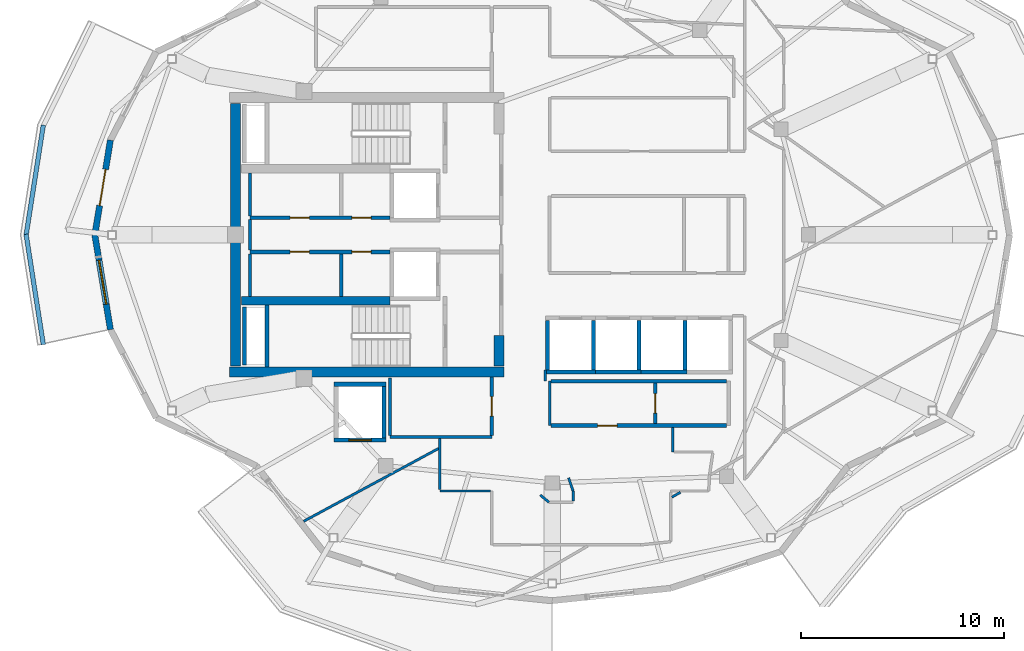
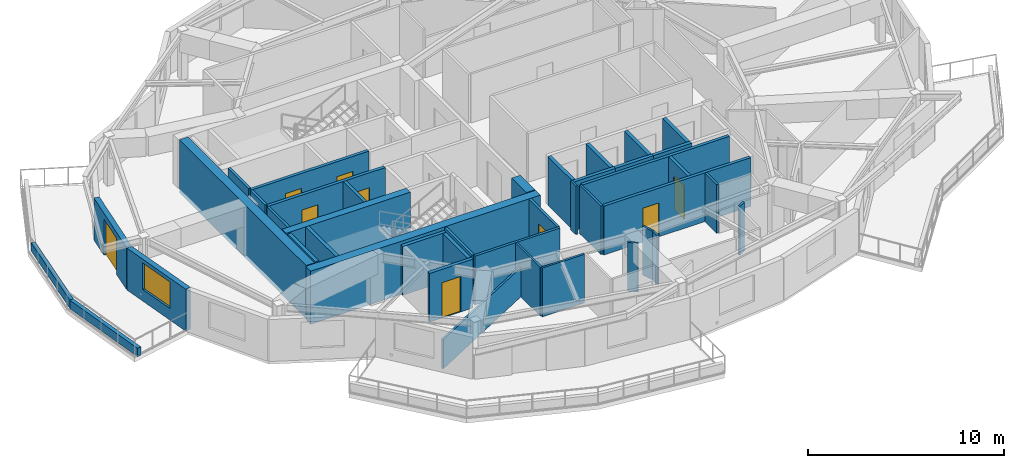
# One storey, part 4 of 11: 42 walls, 9 doors, 1 window, 10 openings.
"""IFC4 building model written with IfcOpenShell, lengths in metres."""

from ifc_helpers import new_model, si_unit, direction, frame, frame_2d, origin, place, context, subcontext, project, spatial, rectangle, extrude, material, layer, layer_set, type_object, element, fill, save


model = new_model("IFC4")

# Units and contexts
model_context = context("Model", 3, precision=1e-05, world=origin(), true_north=direction((0.0, 1.0)))
body_context = subcontext(model_context, "Body", "Model", "MODEL_VIEW")
ifc_project = project(units=[si_unit("LENGTHUNIT", "METRE"), si_unit("AREAUNIT", "SQUARE_METRE"), si_unit("VOLUMEUNIT", "CUBIC_METRE"), si_unit("PLANEANGLEUNIT", "RADIAN"), si_unit("MASSUNIT", "GRAM", prefix="KILO")], contexts=[model_context])

# Site, building, storey
site_placement = place(None, origin())
site = spatial("IfcSite", under=ifc_project, at=site_placement, CompositionType="ELEMENT")
building_placement = place(site_placement, origin())
building = spatial("IfcBuilding", under=site, at=building_placement, Name="Kolvaren Gate Tower and Convention Centre", CompositionType="ELEMENT")
storey_placement = place(building_placement, frame((0.0, 0.0, 255.800048828125)))
storey = spatial("IfcBuildingStorey", under=building, at=storey_placement, Name="L69", CompositionType="ELEMENT", Elevation=255.800048828125)

# Wall, openings, doors
ifc_material_1 = material(Name="Autoclaved Aerated Masonry Blockwork Class 4 (4.0 MPa)", Category="masonry")
ifc_layer_1 = layer(ifc_material_1, 0.179931640625)
ifc_layer_set_1 = layer_set([ifc_layer_1], Name="Autoclaved Aerated Masonry Blockwork Class 4 (4.0 MPa)")
wall_type_1 = type_object("IfcWallType", Name="ARCH-WL-COMP-180", PredefinedType="SOLIDWALL", material=ifc_layer_set_1)
wall_1_placement = place(storey_placement, frame((15.25, 27.840087890625, 0.0), z_axis=(0.0, 0.0, 1.0), x_axis=(1.0, 0.0, 0.0)))
wall_1 = element("IfcWall", 1, at=wall_1_placement, inside=storey, type_object=wall_type_1, Name="Interior Partition WL-L69-INT-004", PredefinedType="SOLIDWALL", context=body_context, shape_type="SweptSolid", body=[
    extrude(rectangle(XDim=6.89990234375, YDim=0.179931640625, at=frame_2d((3.449951171875, 0.0))), origin(), (0.0, 0.0, 1.0), 3.030029296875),
])
opening_1_placement = place(wall_1_placement, frame((5.02001953125, 0.0, 0.0)))
opening_1 = element("IfcOpeningElement", 2, at=opening_1_placement, cuts=wall_1, Name="Opening DR-01", PredefinedType="OPENING", context=body_context, shape_type="SweptSolid", body=[
    extrude(rectangle(XDim=0.949951171875, YDim=2.10009765625, at=frame_2d((0.47509765625, 1.050048828125))), frame((0.0, 0.099853515625, 0.0), z_axis=(0.0, -1.0, 0.0), x_axis=(1.0, 0.0, 0.0)), (0.0, 0.0, 1.0), 0.199951171875),
])
opening_2_placement = place(wall_1_placement, frame((1.97998046875, 0.0, 0.0)))
opening_2 = element("IfcOpeningElement", 3, at=opening_2_placement, cuts=wall_1, Name="Opening DR-01", PredefinedType="OPENING", context=body_context, shape_type="SweptSolid", body=[
    extrude(rectangle(XDim=0.949951171875, YDim=2.10009765625, at=frame_2d((0.47509765625, 1.050048828125))), frame((0.0, 0.099853515625, 0.0), z_axis=(0.0, -1.0, 0.0), x_axis=(1.0, 0.0, 0.0)), (0.0, 0.0, 1.0), 0.199951171875),
])
ifc_material_2 = material(Name="Painted Architectural Steelwork ASTM A500 Grade C 345 MPa", Category="steel")
door_type_1 = type_object("IfcDoorType", Name="ARCH-DR-RISER-950", OperationType="SINGLE_SWING_RIGHT", PredefinedType="DOOR", material=ifc_material_2)
door_1_placement = place(opening_1_placement, origin())
door_1 = element("IfcDoor", 4, at=door_1_placement, inside=storey, type_object=door_type_1, Name="Electrical Switchgear Closet Door", OperationType="SINGLE_SWING_RIGHT", OverallHeight=2.10009765625, OverallWidth=0.949951171875, PredefinedType="DOOR", context=body_context, shape_type="SweptSolid", body=[
    extrude(rectangle(XDim=0.949951171875, YDim=2.10009765625, at=frame_2d((0.47509765625, 1.050048828125))), frame((0.0, 0.02490234375, 0.0), z_axis=(0.0, -1.0, 0.0), x_axis=(1.0, 0.0, 0.0)), (0.0, 0.0, 1.0), 0.050048828125),
])
fill(opening_1, door_1)
door_2_placement = place(opening_2_placement, origin())
door_2 = element("IfcDoor", 5, at=door_2_placement, inside=storey, type_object=door_type_1, Name="Staff Powder Washroom Door", OperationType="SINGLE_SWING_RIGHT", OverallHeight=2.10009765625, OverallWidth=0.949951171875, PredefinedType="DOOR", context=body_context, shape_type="SweptSolid", body=[
    extrude(rectangle(XDim=0.949951171875, YDim=2.10009765625, at=frame_2d((0.47509765625, 1.050048828125))), frame((0.0, 0.02490234375, 0.0), z_axis=(0.0, -1.0, 0.0), x_axis=(1.0, 0.0, 0.0)), (0.0, 0.0, 1.0), 0.050048828125),
])
fill(opening_2, door_2)

wall_2_placement = place(storey_placement, frame((15.25, 26.159912109375, 0.0), z_axis=(0.0, 0.0, 1.0), x_axis=(1.0, 0.0, 0.0)))
wall_2 = element("IfcWall", 6, at=wall_2_placement, inside=storey, type_object=wall_type_1, Name="Interior Partition WL-L69-INT-005", PredefinedType="SOLIDWALL", context=body_context, shape_type="SweptSolid", body=[
    extrude(rectangle(XDim=6.89990234375, YDim=0.179931640625, at=frame_2d((3.449951171875, 0.0))), origin(), (0.0, 0.0, 1.0), 3.030029296875),
])
opening_3_placement = place(wall_2_placement, frame((5.02001953125, 0.0, 0.0)))
opening_3 = element("IfcOpeningElement", 7, at=opening_3_placement, cuts=wall_2, Name="Opening DR-01", PredefinedType="OPENING", context=body_context, shape_type="SweptSolid", body=[
    extrude(rectangle(XDim=0.949951171875, YDim=2.10009765625, at=frame_2d((0.47509765625, 1.050048828125))), frame((0.0, 0.099853515625, 0.0), z_axis=(0.0, -1.0, 0.0), x_axis=(1.0, 0.0, 0.0)), (0.0, 0.0, 1.0), 0.199951171875),
])
opening_4_placement = place(wall_2_placement, frame((1.97998046875, 0.0, 0.0)))
opening_4 = element("IfcOpeningElement", 8, at=opening_4_placement, cuts=wall_2, Name="Opening DR-01", PredefinedType="OPENING", context=body_context, shape_type="SweptSolid", body=[
    extrude(rectangle(XDim=0.949951171875, YDim=2.10009765625, at=frame_2d((0.47509765625, 1.050048828125))), frame((0.0, 0.099853515625, 0.0), z_axis=(0.0, -1.0, 0.0), x_axis=(1.0, 0.0, 0.0)), (0.0, 0.0, 1.0), 0.199951171875),
])
door_3_placement = place(opening_3_placement, origin())
door_3 = element("IfcDoor", 9, at=door_3_placement, inside=storey, type_object=door_type_1, Name="Domestic Water Meter Closet Door", OperationType="SINGLE_SWING_LEFT", OverallHeight=2.10009765625, OverallWidth=0.949951171875, PredefinedType="DOOR", context=body_context, shape_type="SweptSolid", body=[
    extrude(rectangle(XDim=0.949951171875, YDim=2.10009765625, at=frame_2d((0.47509765625, 1.050048828125))), frame((0.0, 0.02490234375, 0.0), z_axis=(0.0, -1.0, 0.0), x_axis=(1.0, 0.0, 0.0)), (0.0, 0.0, 1.0), 0.050048828125),
])
fill(opening_3, door_3)
door_4_placement = place(opening_4_placement, origin())
door_4 = element("IfcDoor", 10, at=door_4_placement, inside=storey, type_object=door_type_1, Name="Janitor Equipment Store Door", OperationType="SINGLE_SWING_LEFT", OverallHeight=2.10009765625, OverallWidth=0.949951171875, PredefinedType="DOOR", context=body_context, shape_type="SweptSolid", body=[
    extrude(rectangle(XDim=0.949951171875, YDim=2.10009765625, at=frame_2d((0.47509765625, 1.050048828125))), frame((0.0, 0.02490234375, 0.0), z_axis=(0.0, -1.0, 0.0), x_axis=(1.0, 0.0, 0.0)), (0.0, 0.0, 1.0), 0.050048828125),
])
fill(opening_4, door_4)

# Wall
wall_3_placement = place(storey_placement, frame((19.75, 23.9619140625, 0.0), z_axis=(0.0, 0.0, 1.0), x_axis=(0.0, 1.0, 0.0)))
element("IfcWall", 11, at=wall_3_placement, inside=storey, type_object=wall_type_1, Name="Interior Partition WL-L69-INT-007", PredefinedType="SOLIDWALL", context=body_context, shape_type="SweptSolid", body=[
    extrude(rectangle(XDim=2.106201171875, YDim=0.179931640625, at=frame_2d((1.05322265625, 0.0))), origin(), (0.0, 0.0, 1.0), 3.030029296875),
])

# Wall, opening, door
wall_4_placement = place(storey_placement, frame((30.06201171875, 17.6201171875, 0.0), z_axis=(0.0, 0.0, 1.0), x_axis=(1.0, 0.0, 0.0)))
wall_4 = element("IfcWall", 12, at=wall_4_placement, inside=storey, type_object=wall_type_1, Name="Interior Partition WL-L69-INT-026", PredefinedType="SOLIDWALL", context=body_context, shape_type="SweptSolid", body=[
    extrude(rectangle(XDim=8.64599609375, YDim=0.179931640625, at=frame_2d((4.322998046875, 0.0))), origin(), (0.0, 0.0, 1.0), 3.030029296875),
])
opening_5_placement = place(wall_4_placement, frame((2.299072265625, 0.0, 0.0)))
opening_5 = element("IfcOpeningElement", 13, at=opening_5_placement, cuts=wall_4, Name="Opening DR-01", PredefinedType="OPENING", context=body_context, shape_type="SweptSolid", body=[
    extrude(rectangle(XDim=0.949951171875, YDim=2.10009765625, at=frame_2d((0.47509765625, 1.050048828125))), frame((0.0, 0.099853515625, 0.0), z_axis=(0.0, -1.0, 0.0), x_axis=(1.0, 0.0, 0.0)), (0.0, 0.0, 1.0), 0.199951171875),
])
door_5_placement = place(opening_5_placement, origin())
door_5 = element("IfcDoor", 14, at=door_5_placement, inside=storey, type_object=door_type_1, Name="Resident Quiet Library Door", OperationType="SINGLE_SWING_RIGHT", OverallHeight=2.10009765625, OverallWidth=0.949951171875, PredefinedType="DOOR", context=body_context, shape_type="SweptSolid", body=[
    extrude(rectangle(XDim=0.949951171875, YDim=2.10009765625, at=frame_2d((0.47509765625, 1.050048828125))), frame((0.0, 0.02490234375, 0.0), z_axis=(0.0, -1.0, 0.0), x_axis=(1.0, 0.0, 0.0)), (0.0, 0.0, 1.0), 0.050048828125),
])
fill(opening_5, door_5)

# Wall
wall_5_placement = place(storey_placement, frame((30.06201171875, 19.800048828125, 0.0), z_axis=(0.0, 0.0, 1.0), x_axis=(1.0, 0.0, 0.0)))
element("IfcWall", 15, at=wall_5_placement, inside=storey, type_object=wall_type_1, Name="Interior Partition WL-L69-INT-027", PredefinedType="SOLIDWALL", context=body_context, shape_type="SweptSolid", body=[
    extrude(rectangle(XDim=8.64599609375, YDim=0.179931640625, at=frame_2d((4.322998046875, 0.0))), origin(), (0.0, 0.0, 1.0), 3.030029296875),
])

# Wall, opening, door
wall_6_placement = place(storey_placement, frame((35.199951171875, 17.7119140625, 0.0), z_axis=(0.0, 0.0, 1.0), x_axis=(0.0, 1.0, 0.0)))
wall_6 = element("IfcWall", 16, at=wall_6_placement, inside=storey, type_object=wall_type_1, Name="Interior Partition WL-L69-INT-028", PredefinedType="SOLIDWALL", context=body_context, shape_type="SweptSolid", body=[
    extrude(rectangle(XDim=1.99609375, YDim=0.179931640625, at=frame_2d((0.998046875, 0.0))), origin(), (0.0, 0.0, 1.0), 3.030029296875),
])
opening_6_placement = place(wall_6_placement, frame((0.52294921875, 0.0, 0.0)))
opening_6 = element("IfcOpeningElement", 17, at=opening_6_placement, cuts=wall_6, Name="Opening DR-01", PredefinedType="OPENING", context=body_context, shape_type="SweptSolid", body=[
    extrude(rectangle(XDim=0.949951171875, YDim=2.10009765625, at=frame_2d((0.47509765625, 1.050048828125))), frame((0.0, 0.099853515625, 0.0), z_axis=(0.0, -1.0, 0.0), x_axis=(1.0, 0.0, 0.0)), (0.0, 0.0, 1.0), 0.199951171875),
])
door_6_placement = place(opening_6_placement, origin())
door_6 = element("IfcDoor", 18, at=door_6_placement, inside=storey, type_object=door_type_1, Name="Smart-Metering Room Door", OperationType="SINGLE_SWING_RIGHT", OverallHeight=2.10009765625, OverallWidth=0.949951171875, PredefinedType="DOOR", context=body_context, shape_type="SweptSolid", body=[
    extrude(rectangle(XDim=0.949951171875, YDim=2.10009765625, at=frame_2d((0.47509765625, 1.050048828125))), frame((0.0, 0.02490234375, 0.0), z_axis=(0.0, -1.0, 0.0), x_axis=(1.0, 0.0, 0.0)), (0.0, 0.0, 1.0), 0.050048828125),
])
fill(opening_6, door_6)

# Walls
ifc_material_3 = material(Name="Fire-Rated Acoustic Gypsum Stud Partition", Category="gypsum")
ifc_layer_2 = layer(ifc_material_3, 0.1201171875)
ifc_layer_set_2 = layer_set([ifc_layer_2], Name="Fire-Rated Acoustic Gypsum Stud Partition")
wall_type_2 = type_object("IfcWallType", Name="ARCH-WL-PART-120", PredefinedType="PARTITIONING", material=ifc_layer_set_2)
wall_7_placement = place(storey_placement, frame((30.0, 17.6201171875, 0.0), z_axis=(0.0, 0.0, 1.0), x_axis=(0.0, 1.0, 0.0)))
element("IfcWall", 19, at=wall_7_placement, inside=storey, type_object=wall_type_2, Name="Interior Partition WL-L69-INT-015", PredefinedType="PARTITIONING", context=body_context, shape_type="SweptSolid", body=[
    extrude(rectangle(XDim=2.179931640625, YDim=0.1201171875, at=frame_2d((1.08984375, 0.0))), origin(), (0.0, 0.0, 1.0), 3.030029296875),
])
wall_8_placement = place(storey_placement, frame((29.780029296875, 19.800048828125, 0.0), z_axis=(0.0, 0.0, 1.0), x_axis=(0.0, 1.0, 0.0)))
element("IfcWall", 20, at=wall_8_placement, inside=storey, type_object=wall_type_2, Name="Interior Partition WL-L69-INT-051", PredefinedType="PARTITIONING", context=body_context, shape_type="SweptSolid", body=[
    extrude(rectangle(XDim=0.56005859375, YDim=0.1201171875, at=frame_2d((0.280029296875, 0.0))), origin(), (0.0, 0.0, 1.0), 3.030029296875),
])
wall_9_placement = place(storey_placement, frame((36.050048828125, 16.320068359375, 0.0), z_axis=(0.0, 0.0, 1.0), x_axis=(0.0, 1.0, 0.0)))
element("IfcWall", 21, at=wall_9_placement, inside=storey, type_object=wall_type_2, Name="Interior Partition WL-L69-INT-052", PredefinedType="PARTITIONING", context=body_context, shape_type="SweptSolid", body=[
    extrude(rectangle(XDim=1.2080078125, YDim=0.1201171875, at=frame_2d((0.60400390625, 0.0))), origin(), (0.0, 0.0, 1.0), 3.030029296875),
])
wall_10_placement = place(storey_placement, frame((24.60009765625, 14.39990234375, 0.0), z_axis=(0.0, 0.0, 1.0), x_axis=(1.0, 0.0, 0.0)))
element("IfcWall", 22, at=wall_10_placement, inside=storey, type_object=wall_type_2, Name="Interior Partition WL-L69-INT-056", PredefinedType="PARTITIONING", context=body_context, shape_type="SweptSolid", body=[
    extrude(rectangle(XDim=2.48779296875, YDim=0.1201171875, at=frame_2d((1.243896484375, 0.0))), origin(), (0.0, 0.0, 1.0), 3.030029296875),
])
wall_11_placement = place(storey_placement, frame((24.60009765625, 14.4619140625, 0.0), z_axis=(0.0, 0.0, 1.0), x_axis=(0.0, 1.0, 0.0)))
element("IfcWall", 23, at=wall_11_placement, inside=storey, type_object=wall_type_2, Name="Interior Partition WL-L69-INT-061", PredefinedType="PARTITIONING", context=body_context, shape_type="SweptSolid", body=[
    extrude(rectangle(XDim=2.510986328125, YDim=0.1201171875, at=frame_2d((1.25537109375, 0.0))), origin(), (0.0, 0.0, 1.0), 3.030029296875),
])
wall_12_placement = place(storey_placement, frame((31.14990234375, 13.912109375, 0.0), z_axis=(0.0, 0.0, 1.0), x_axis=(0.0, 1.0, 0.0)))
element("IfcWall", 24, at=wall_12_placement, inside=storey, type_object=wall_type_2, Name="Interior Partition WL-L69-INT-063", PredefinedType="PARTITIONING", context=body_context, shape_type="SweptSolid", body=[
    extrude(rectangle(XDim=0.48779296875, YDim=0.1201171875, at=frame_2d((0.243896484375, 0.0))), origin(), (0.0, 0.0, 1.0), 3.030029296875),
])
wall_13_placement = place(storey_placement, frame((30.928955078125, 15.0439453125, 0.0), z_axis=(0.0, 0.0, 1.0), x_axis=(0.324498492416, -0.945886213252, 0.0)))
element("IfcWall", 25, at=wall_13_placement, inside=storey, type_object=wall_type_2, Name="Interior Partition WL-L69-INT-064", PredefinedType="PARTITIONING", context=body_context, shape_type="SweptSolid", body=[
    extrude(rectangle(XDim=0.680908203125, YDim=0.1201171875, at=frame_2d((0.34033203125, 0.0))), origin(), (0.0, 0.0, 1.0), 3.030029296875),
])
wall_14_placement = place(storey_placement, frame((29.531005859375, 14.2060546875, 0.0), z_axis=(0.0, 0.0, 1.0), x_axis=(0.7695479554, -0.638589026166, 0.0)))
element("IfcWall", 26, at=wall_14_placement, inside=storey, type_object=wall_type_2, Name="Interior Partition WL-L69-INT-065", PredefinedType="PARTITIONING", context=body_context, shape_type="SweptSolid", body=[
    extrude(rectangle(XDim=0.557373046875, YDim=0.1201171875, at=frame_2d((0.27880859375, 0.0))), origin(), (0.0, 0.0, 1.0), 3.030029296875),
])
wall_15_placement = place(storey_placement, frame((17.895263671875, 12.90966796875, 0.0), z_axis=(0.0, 0.0, 1.0), x_axis=(0.880038694226, 0.474901986377, 0.0)))
element("IfcWall", 27, at=wall_15_placement, inside=storey, type_object=wall_type_2, Name="Interior Partition WL-L69-INT-066", PredefinedType="PARTITIONING", context=body_context, shape_type="SweptSolid", body=[
    extrude(rectangle(XDim=7.54833984375, YDim=0.1201171875, at=frame_2d((3.774169921875, 0.0))), origin(), (0.0, 0.0, 1.0), 1.822509765625),
])
wall_16_placement = place(storey_placement, frame((36.011962890625, 14.09619140625, 0.0), z_axis=(0.0, 0.0, 1.0), x_axis=(0.865553251364, 0.500816901724, 0.0)))
element("IfcWall", 28, at=wall_16_placement, inside=storey, type_object=wall_type_2, Name="Interior Partition WL-L69-INT-069", PredefinedType="PARTITIONING", context=body_context, shape_type="SweptSolid", body=[
    extrude(rectangle(XDim=0.482666015625, YDim=0.1201171875, at=frame_2d((0.2412109375, 0.0))), origin(), (0.0, 0.0, 1.0), 3.030029296875),
])
ifc_material_4 = material(Name="Piedmont Cream Honed Limestone Cladding", Category="masonry")
ifc_layer_3 = layer(ifc_material_4, 0.219970703125)
ifc_layer_set_3 = layer_set([ifc_layer_3], Name="Piedmont Cream Honed Limestone Cladding")
wall_type_3 = type_object("IfcWallType", Name="ARCH-WL-PLANTER-220", PredefinedType="PARAPET", material=ifc_layer_set_3)
for number, where, z_axis, x_axis, name in (
    (29, (4.243408203125, 26.970703125, 0.0), (0.0, 0.0, 1.0), (0.154441975483, 0.988001860428, 0.0), "Vertical-Forest Balcony Stone Planter Kerb PK-L69-2.2"),
    (30, (4.243408203125, 27.029296875, 0.0), (0.0, 0.0, 1.0), (0.154441975483, -0.988001860428, 0.0), "Vertical-Forest Balcony Stone Planter Kerb PK-L69-2.3"),
):
    element("IfcWall", number, at=place(storey_placement, frame(where, z_axis=z_axis, x_axis=x_axis)), inside=storey, type_object=wall_type_3, Name=name, PredefinedType="PARAPET", context=body_context, shape_type="SweptSolid", body=[
        extrude(rectangle(XDim=5.49169921875, YDim=0.219970703125, at=frame_2d((2.745849609375, 0.0))), origin(), (0.0, 0.0, 1.0), 0.52001953125),
    ])
ifc_layer_4 = layer(ifc_material_1, 0.199951171875)
ifc_layer_set_4 = layer_set([ifc_layer_4], Name="Autoclaved Aerated Masonry Blockwork Class 4 (4.0 MPa)")
wall_type_4 = type_object("IfcWallType", Name="ARCH-WL-SHAFT-200", PredefinedType="SOLIDWALL", material=ifc_layer_set_4)
wall_17_placement = place(storey_placement, frame((19.39990234375, 19.64990234375, 0.0), z_axis=(0.0, 0.0, 1.0), x_axis=(1.0, 0.0, 0.0)))
element("IfcWall", 31, at=wall_17_placement, inside=storey, type_object=wall_type_4, Name="Elevator SV-01 L69 Fire Shaft Wall N", PredefinedType="SOLIDWALL", context=body_context, shape_type="SweptSolid", body=[
    extrude(rectangle(XDim=2.550048828125, YDim=0.199951171875, at=frame_2d((1.27490234375, 0.0))), origin(), (0.0, 0.0, 1.0), 3.030029296875),
])

# Wall, opening, door
wall_18_placement = place(storey_placement, frame((19.39990234375, 16.89990234375, 0.0), z_axis=(0.0, 0.0, 1.0), x_axis=(1.0, 0.0, 0.0)))
wall_18 = element("IfcWall", 32, at=wall_18_placement, inside=storey, type_object=wall_type_4, Name="Elevator SV-01 L69 Fire Shaft Wall S", PredefinedType="SOLIDWALL", context=body_context, shape_type="SweptSolid", body=[
    extrude(rectangle(XDim=2.550048828125, YDim=0.199951171875, at=frame_2d((1.27490234375, 0.0))), origin(), (0.0, 0.0, 1.0), 3.030029296875),
])
opening_7_placement = place(wall_18_placement, frame((0.72509765625, 0.0, 0.0)))
opening_7 = element("IfcOpeningElement", 33, at=opening_7_placement, cuts=wall_18, Name="Opening LD", PredefinedType="OPENING", context=body_context, shape_type="SweptSolid", body=[
    extrude(rectangle(XDim=1.10009765625, YDim=2.199951171875, at=frame_2d((0.550048828125, 1.10009765625))), frame((0.0, 0.10986328125, 0.0), z_axis=(0.0, -1.0, 0.0), x_axis=(1.0, 0.0, 0.0)), (0.0, 0.0, 1.0), 0.219970703125),
])
ifc_material_5 = material(Name="Brushed Stainless Steel Grade 316L", Category="steel")
door_type_2 = type_object("IfcDoorType", Name="ARCH-DR-LIFT-1100", OperationType="SLIDING_TO_LEFT", PredefinedType="DOOR", material=ifc_material_5)
door_7_placement = place(opening_7_placement, origin())
door_7 = element("IfcDoor", 34, at=door_7_placement, inside=storey, type_object=door_type_2, Name="Elevator SV-01 L69 Sliding Landing Door", OperationType="SLIDING_TO_LEFT", OverallHeight=2.199951171875, OverallWidth=1.10009765625, PredefinedType="DOOR", context=body_context, shape_type="SweptSolid", body=[
    extrude(rectangle(XDim=1.10009765625, YDim=2.199951171875, at=frame_2d((0.550048828125, 1.10009765625))), frame((0.0, 0.02490234375, 0.0), z_axis=(0.0, -1.0, 0.0), x_axis=(1.0, 0.0, 0.0)), (0.0, 0.0, 1.0), 0.050048828125),
])
fill(opening_7, door_7)

# Walls
wall_19_placement = place(storey_placement, frame((21.85009765625, 17.010009765625, 0.0), z_axis=(0.0, 0.0, 1.0), x_axis=(0.0, 1.0, 0.0)))
element("IfcWall", 35, at=wall_19_placement, inside=storey, type_object=wall_type_4, Name="Elevator SV-01 L69 Fire Shaft Wall E", PredefinedType="SOLIDWALL", context=body_context, shape_type="SweptSolid", body=[
    extrude(rectangle(XDim=2.530029296875, YDim=0.199951171875, at=frame_2d((1.26513671875, 0.0))), origin(), (0.0, 0.0, 1.0), 3.030029296875),
])
wall_20_placement = place(storey_placement, frame((29.800048828125, 20.25, 0.0), z_axis=(0.0, 0.0, 1.0), x_axis=(1.0, 0.0, 0.0)))
element("IfcWall", 36, at=wall_20_placement, inside=storey, type_object=wall_type_4, Name="Elevator PL-09 L69 Fire Shaft Wall S", PredefinedType="SOLIDWALL", context=body_context, shape_type="SweptSolid", body=[
    extrude(rectangle(XDim=2.449951171875, YDim=0.199951171875, at=frame_2d((1.22509765625, 0.0))), origin(), (0.0, 0.0, 1.0), 3.030029296875),
])
for number, where, z_axis, x_axis, name in (
    (37, (29.89990234375, 20.360107421875, 0.0), (0.0, 0.0, 1.0), (0.0, 1.0, 0.0), "Elevator PL-09 L69 Fire Shaft Wall W"),
    (38, (32.14990234375, 20.360107421875, 0.0), (0.0, 0.0, 1.0), (0.0, 1.0, 0.0), "Elevator PL-09 L69 Fire Shaft Wall E"),
):
    element("IfcWall", number, at=place(storey_placement, frame(where, z_axis=z_axis, x_axis=x_axis)), inside=storey, type_object=wall_type_4, Name=name, PredefinedType="SOLIDWALL", context=body_context, shape_type="SweptSolid", body=[
        extrude(rectangle(XDim=2.429931640625, YDim=0.199951171875, at=frame_2d((1.21484375, 0.0))), origin(), (0.0, 0.0, 1.0), 3.030029296875),
    ])
wall_21_placement = place(storey_placement, frame((32.25, 20.25, 0.0), z_axis=(0.0, 0.0, 1.0), x_axis=(1.0, 0.0, 0.0)))
element("IfcWall", 39, at=wall_21_placement, inside=storey, type_object=wall_type_4, Name="Elevator PL-10 L69 Fire Shaft Wall S", PredefinedType="SOLIDWALL", context=body_context, shape_type="SweptSolid", body=[
    extrude(rectangle(XDim=2.25, YDim=0.199951171875, at=frame_2d((1.125, 0.0))), origin(), (0.0, 0.0, 1.0), 3.030029296875),
])
wall_22_placement = place(storey_placement, frame((34.39990234375, 20.360107421875, 0.0), z_axis=(0.0, 0.0, 1.0), x_axis=(0.0, 1.0, 0.0)))
element("IfcWall", 40, at=wall_22_placement, inside=storey, type_object=wall_type_4, Name="Elevator PL-10 L69 Fire Shaft Wall E", PredefinedType="SOLIDWALL", context=body_context, shape_type="SweptSolid", body=[
    extrude(rectangle(XDim=2.429931640625, YDim=0.199951171875, at=frame_2d((1.21484375, 0.0))), origin(), (0.0, 0.0, 1.0), 3.030029296875),
])
wall_23_placement = place(storey_placement, frame((34.5, 20.25, 0.0), z_axis=(0.0, 0.0, 1.0), x_axis=(1.0, 0.0, 0.0)))
element("IfcWall", 41, at=wall_23_placement, inside=storey, type_object=wall_type_4, Name="Elevator PL-11 L69 Fire Shaft Wall S", PredefinedType="SOLIDWALL", context=body_context, shape_type="SweptSolid", body=[
    extrude(rectangle(XDim=2.25, YDim=0.199951171875, at=frame_2d((1.125, 0.0))), origin(), (0.0, 0.0, 1.0), 3.030029296875),
])
wall_24_placement = place(storey_placement, frame((36.64990234375, 20.360107421875, 0.0), z_axis=(0.0, 0.0, 1.0), x_axis=(0.0, 1.0, 0.0)))
element("IfcWall", 42, at=wall_24_placement, inside=storey, type_object=wall_type_4, Name="Elevator PL-11 L69 Fire Shaft Wall E", PredefinedType="SOLIDWALL", context=body_context, shape_type="SweptSolid", body=[
    extrude(rectangle(XDim=2.429931640625, YDim=0.199951171875, at=frame_2d((1.21484375, 0.0))), origin(), (0.0, 0.0, 1.0), 3.030029296875),
])
wall_25_placement = place(storey_placement, frame((14.989990234375, 20.60009765625, 0.0), z_axis=(0.0, 0.0, 1.0), x_axis=(0.0, 1.0, 0.0)))
element("IfcWall", 43, at=wall_25_placement, inside=storey, type_object=wall_type_4, Name="Vertical Shaft MPR L69 EI-120 Enclosure Wall W", PredefinedType="SOLIDWALL", context=body_context, shape_type="SweptSolid", body=[
    extrude(rectangle(XDim=2.849853515625, YDim=0.199951171875, at=frame_2d((1.4248046875, 0.0))), origin(), (0.0, 0.0, 1.0), 3.030029296875),
])

# Wall, opening, door
ifc_layer_5 = layer(ifc_material_4, 0.300048828125)
ifc_layer_set_5 = layer_set([ifc_layer_5], Name="Piedmont Cream Honed Limestone Cladding")
wall_type_5 = type_object("IfcWallType", Name="ARCH-WL-STONE-300", PredefinedType="SOLIDWALL", material=ifc_layer_set_5)
wall_26_placement = place(storey_placement, frame((7.625, 27.0, 0.0), z_axis=(0.0, 0.0, 1.0), x_axis=(0.162369371657, 0.986730047758, 0.0)))
wall_26 = element("IfcWall", 44, at=wall_26_placement, inside=storey, type_object=wall_type_5, Name="Tower L69 Honed Stone Spandrel Wall EW-11", PredefinedType="SOLIDWALL", context=body_context, shape_type="SweptSolid", body=[
    extrude(rectangle(XDim=4.721435546875, YDim=0.300048828125, at=frame_2d((2.36083984375, 0.0))), origin(), (0.0, 0.0, 1.0), 2.60498046875),
])
opening_8_placement = place(wall_26_placement, frame((1.4609375, 0.0, 0.0)))
opening_8 = element("IfcOpeningElement", 45, at=opening_8_placement, cuts=wall_26, Name="Opening DB-01", PredefinedType="OPENING", context=body_context, shape_type="SweptSolid", body=[
    extrude(rectangle(XDim=1.800048828125, YDim=2.25, at=frame_2d((0.89990234375, 1.125))), frame((0.0, 0.159912109375, 0.0), z_axis=(0.0, -1.0, 0.0), x_axis=(1.0, 0.0, 0.0)), (0.0, 0.0, 1.0), 0.320068359375),
])
ifc_material_6 = material(Name="Anodized Architectural Aluminium Alloy 6063-T6", Category="aluminium")
door_type_3 = type_object("IfcDoorType", Name="ARCH-DR-BALC-1800", OperationType="SLIDING_TO_LEFT", PredefinedType="DOOR", material=ifc_material_6)
door_8_placement = place(opening_8_placement, origin())
door_8 = element("IfcDoor", 46, at=door_8_placement, inside=storey, type_object=door_type_3, Name="Planted Sky Terrace Access Door DB-L69-11", OperationType="SLIDING_TO_LEFT", OverallHeight=2.25, OverallWidth=1.800048828125, PredefinedType="DOOR", context=body_context, shape_type="SweptSolid", body=[
    extrude(rectangle(XDim=1.800048828125, YDim=2.25, at=frame_2d((0.89990234375, 1.125))), frame((0.0, 0.02490234375, 0.0), z_axis=(0.0, -1.0, 0.0), x_axis=(1.0, 0.0, 0.0)), (0.0, 0.0, 1.0), 0.050048828125),
])
fill(opening_8, door_8)

# Wall, opening, window
wall_27_placement = place(storey_placement, frame((7.625, 27.0, 0.0), z_axis=(0.0, 0.0, 1.0), x_axis=(0.162369371657, -0.986730047758, 0.0)))
wall_27 = element("IfcWall", 47, at=wall_27_placement, inside=storey, type_object=wall_type_5, Name="Tower L69 Honed Stone Spandrel Wall EW-12", PredefinedType="SOLIDWALL", context=body_context, shape_type="SweptSolid", body=[
    extrude(rectangle(XDim=4.721435546875, YDim=0.300048828125, at=frame_2d((2.36083984375, 0.0))), origin(), (0.0, 0.0, 1.0), 2.60498046875),
])
opening_9_placement = place(wall_27_placement, frame((1.260986328125, 0.0, 0.719970703125)))
opening_9 = element("IfcOpeningElement", 48, at=opening_9_placement, cuts=wall_27, Name="Opening W-03", PredefinedType="OPENING", context=body_context, shape_type="SweptSolid", body=[
    extrude(rectangle(XDim=2.199951171875, YDim=1.64990234375, at=frame_2d((1.10009765625, 0.824951171875))), frame((0.0, 0.159912109375, 0.0), z_axis=(0.0, -1.0, 0.0), x_axis=(1.0, 0.0, 0.0)), (0.0, 0.0, 1.0), 0.320068359375),
])
ifc_material_7 = material(Name="Low-E Triple Insulated Glazing Unit 44 mm", Category="glass")
window_type = type_object("IfcWindowType", Name="ARCH-WN-RES-2200", PartitioningType="SINGLE_PANEL", PredefinedType="WINDOW", material=ifc_material_7)
window_placement = place(opening_9_placement, origin())
window = element("IfcWindow", 49, at=window_placement, inside=storey, type_object=window_type, Name="Tower L69 Punched Stone Facade Window W-12", OverallHeight=1.64990234375, OverallWidth=2.199951171875, PartitioningType="SINGLE_PANEL", PredefinedType="WINDOW", context=body_context, shape_type="SweptSolid", body=[
    extrude(rectangle(XDim=2.199951171875, YDim=1.64990234375, at=frame_2d((1.10009765625, 0.824951171875))), frame((0.0, 0.030029296875, 0.0), z_axis=(0.0, -1.0, 0.0), x_axis=(1.0, 0.0, 0.0)), (0.0, 0.0, 1.0), 0.06005859375),
])
fill(opening_9, window)

# Walls
ifc_material_8 = material(Name="Moisture-Resistant Cement-Board Acoustic Partition", Category="gypsum")
ifc_layer_6 = layer(ifc_material_8, 0.14990234375)
ifc_layer_set_6 = layer_set([ifc_layer_6], Name="Moisture-Resistant Cement-Board Acoustic Partition")
wall_type_6 = type_object("IfcWallType", Name="ARCH-WL-WET-150", PredefinedType="PARTITIONING", material=ifc_layer_set_6)
wall_28_placement = place(storey_placement, frame((15.25, 23.9619140625, 0.0), z_axis=(0.0, 0.0, 1.0), x_axis=(0.0, 1.0, 0.0)))
element("IfcWall", 50, at=wall_28_placement, inside=storey, type_object=wall_type_6, Name="Interior Partition WL-L69-INT-006", PredefinedType="PARTITIONING", context=body_context, shape_type="SweptSolid", body=[
    extrude(rectangle(XDim=2.106201171875, YDim=0.14990234375, at=frame_2d((1.05322265625, 0.0))), origin(), (0.0, 0.0, 1.0), 3.030029296875),
])
wall_29_placement = place(storey_placement, frame((15.25, 26.251953125, 0.0), z_axis=(0.0, 0.0, 1.0), x_axis=(0.0, 1.0, 0.0)))
element("IfcWall", 51, at=wall_29_placement, inside=storey, type_object=wall_type_6, Name="Interior Partition WL-L69-INT-006 (2)", PredefinedType="PARTITIONING", context=body_context, shape_type="SweptSolid", body=[
    extrude(rectangle(XDim=1.49609375, YDim=0.14990234375, at=frame_2d((0.748046875, 0.0))), origin(), (0.0, 0.0, 1.0), 3.030029296875),
])
wall_30_placement = place(storey_placement, frame((15.25, 27.931884765625, 0.0), z_axis=(0.0, 0.0, 1.0), x_axis=(0.0, 1.0, 0.0)))
element("IfcWall", 52, at=wall_30_placement, inside=storey, type_object=wall_type_6, Name="Interior Partition WL-L69-INT-006 (3)", PredefinedType="PARTITIONING", context=body_context, shape_type="SweptSolid", body=[
    extrude(rectangle(XDim=2.106201171875, YDim=0.14990234375, at=frame_2d((1.05322265625, 0.0))), origin(), (0.0, 0.0, 1.0), 3.030029296875),
])
wall_31_placement = place(storey_placement, frame((22.14990234375, 17.050048828125, 0.0), z_axis=(0.0, 0.0, 1.0), x_axis=(1.0, 0.0, 0.0)))
element("IfcWall", 53, at=wall_31_placement, inside=storey, type_object=wall_type_6, Name="Interior Partition WL-L69-INT-009", PredefinedType="PARTITIONING", context=body_context, shape_type="SweptSolid", body=[
    extrude(rectangle(XDim=5.0, YDim=0.14990234375, at=frame_2d((2.5, 0.0))), origin(), (0.0, 0.0, 1.0), 3.030029296875),
])
wall_32_placement = place(storey_placement, frame((22.14990234375, 17.126953125, 0.0), z_axis=(0.0, 0.0, 1.0), x_axis=(0.0, 1.0, 0.0)))
element("IfcWall", 54, at=wall_32_placement, inside=storey, type_object=wall_type_6, Name="Interior Partition WL-L69-INT-010", PredefinedType="PARTITIONING", context=body_context, shape_type="SweptSolid", body=[
    extrude(rectangle(XDim=2.822998046875, YDim=0.14990234375, at=frame_2d((1.41162109375, 0.0))), origin(), (0.0, 0.0, 1.0), 3.030029296875),
])

# Wall, opening, door
wall_33_placement = place(storey_placement, frame((27.14990234375, 17.126953125, 0.0), z_axis=(0.0, 0.0, 1.0), x_axis=(0.0, 1.0, 0.0)))
wall_33 = element("IfcWall", 55, at=wall_33_placement, inside=storey, type_object=wall_type_6, Name="Interior Partition WL-L69-INT-012", PredefinedType="PARTITIONING", context=body_context, shape_type="SweptSolid", body=[
    extrude(rectangle(XDim=2.87109375, YDim=0.14990234375, at=frame_2d((1.435546875, 0.0))), origin(), (0.0, 0.0, 1.0), 3.030029296875),
])
opening_10_placement = place(wall_33_placement, frame((0.96044921875, 0.0, 0.0)))
opening_10 = element("IfcOpeningElement", 56, at=opening_10_placement, cuts=wall_33, Name="Opening DR-01", PredefinedType="OPENING", context=body_context, shape_type="SweptSolid", body=[
    extrude(rectangle(XDim=0.949951171875, YDim=2.10009765625, at=frame_2d((0.47509765625, 1.050048828125))), frame((0.0, 0.0849609375, 0.0), z_axis=(0.0, -1.0, 0.0), x_axis=(1.0, 0.0, 0.0)), (0.0, 0.0, 1.0), 0.169921875),
])
door_9_placement = place(opening_10_placement, origin())
door_9 = element("IfcDoor", 57, at=door_9_placement, inside=storey, type_object=door_type_1, Name="West Linen and Supply Store Door", OperationType="SINGLE_SWING_RIGHT", OverallHeight=2.10009765625, OverallWidth=0.949951171875, PredefinedType="DOOR", context=body_context, shape_type="SweptSolid", body=[
    extrude(rectangle(XDim=0.949951171875, YDim=2.10009765625, at=frame_2d((0.47509765625, 1.050048828125))), frame((0.0, 0.02490234375, 0.0), z_axis=(0.0, -1.0, 0.0), x_axis=(1.0, 0.0, 0.0)), (0.0, 0.0, 1.0), 0.050048828125),
])
fill(opening_10, door_9)

# Walls
ifc_material_9 = material(Name="Concrete C50/60", Category="concrete")
ifc_layer_7 = layer(ifc_material_9, 0.419921875)
ifc_layer_set_7 = layer_set([ifc_layer_7], Name="Concrete C50/60")
wall_type_7 = type_object("IfcWallType", Name="STR-WL-CONV-420", PredefinedType="SHEAR", material=ifc_layer_set_7)
wall_34_placement = place(storey_placement, frame((14.85009765625, 23.75, -0.27001953125), z_axis=(0.0, 0.0, 1.0), x_axis=(1.0, 0.0, 0.0)))
element("IfcWall", 58, at=wall_34_placement, inside=storey, type_object=wall_type_7, Name="Tower L69 Offset Core Shear Wall WS", PredefinedType="SHEAR", context=body_context, shape_type="SweptSolid", body=[
    extrude(rectangle(XDim=7.2998046875, YDim=0.419921875, at=frame_2d((3.64990234375, 0.0))), origin(), (0.0, 0.0, 1.0), 3.300048828125),
])
ifc_layer_8 = layer(ifc_material_9, 0.5)
ifc_layer_set_8 = layer_set([ifc_layer_8], Name="Concrete C50/60")
wall_type_8 = type_object("IfcWallType", Name="STR-WL-CORE-500", PredefinedType="SHEAR", material=ifc_layer_set_8)
wall_35_placement = place(storey_placement, frame((14.25, 20.25, -0.27001953125), z_axis=(0.0, 0.0, 1.0), x_axis=(1.0, 0.0, 0.0)))
element("IfcWall", 59, at=wall_35_placement, inside=storey, type_object=wall_type_8, Name="Tower L69 Offset Core Shear Wall S", PredefinedType="SHEAR", context=body_context, shape_type="SweptSolid", body=[
    extrude(rectangle(XDim=13.5, YDim=0.5, at=frame_2d((6.75, 0.0))), origin(), (0.0, 0.0, 1.0), 3.300048828125),
])
wall_36_placement = place(storey_placement, frame((14.550048828125, 20.550048828125, -0.27001953125), z_axis=(0.0, 0.0, 1.0), x_axis=(0.0, 1.0, 0.0)))
element("IfcWall", 60, at=wall_36_placement, inside=storey, type_object=wall_type_8, Name="Tower L69 Offset Core Shear Wall W", PredefinedType="SHEAR", context=body_context, shape_type="SweptSolid", body=[
    extrude(rectangle(XDim=12.89990234375, YDim=0.5, at=frame_2d((6.449951171875, 0.0))), origin(), (0.0, 0.0, 1.0), 3.300048828125),
])
wall_37_placement = place(storey_placement, frame((27.5, 20.550048828125, -0.27001953125), z_axis=(0.0, 0.0, 1.0), x_axis=(0.0, 1.0, 0.0)))
element("IfcWall", 61, at=wall_37_placement, inside=storey, type_object=wall_type_8, Name="Tower L69 Offset Core Shear Wall ES", PredefinedType="SHEAR", context=body_context, shape_type="SweptSolid", body=[
    extrude(rectangle(XDim=1.5, YDim=0.5, at=frame_2d((0.75, 0.0))), origin(), (0.0, 0.0, 1.0), 3.300048828125),
])
ifc_layer_9 = layer(ifc_material_9, 0.199951171875)
ifc_layer_set_9 = layer_set([ifc_layer_9], Name="Concrete C50/60")
wall_type_9 = type_object("IfcWallType", Name="STR-WL-SHAFT-200", PredefinedType="SHEAR", material=ifc_layer_set_9)
wall_38_placement = place(storey_placement, frame((16.10009765625, 20.501953125, -0.27001953125), z_axis=(0.0, 0.0, 1.0), x_axis=(0.0, 1.0, 0.0)))
element("IfcWall", 62, at=wall_38_placement, inside=storey, type_object=wall_type_9, Name="Tower South Exit Stair ST-T2 L69 Structural Shear Enclosure Wall FAR", PredefinedType="SHEAR", context=body_context, shape_type="SweptSolid", body=[
    extrude(rectangle(XDim=3.0361328125, YDim=0.199951171875, at=frame_2d((1.51806640625, 0.0))), origin(), (0.0, 0.0, 1.0), 3.300048828125),
])

save(model, "model.ifc")
